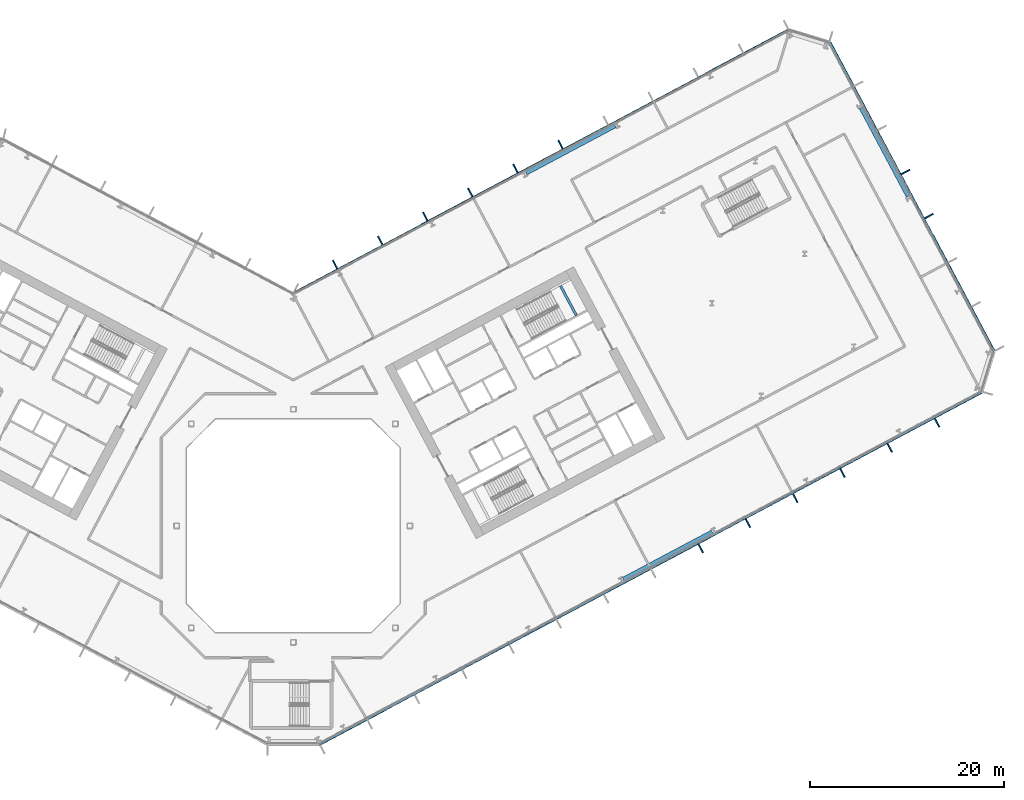
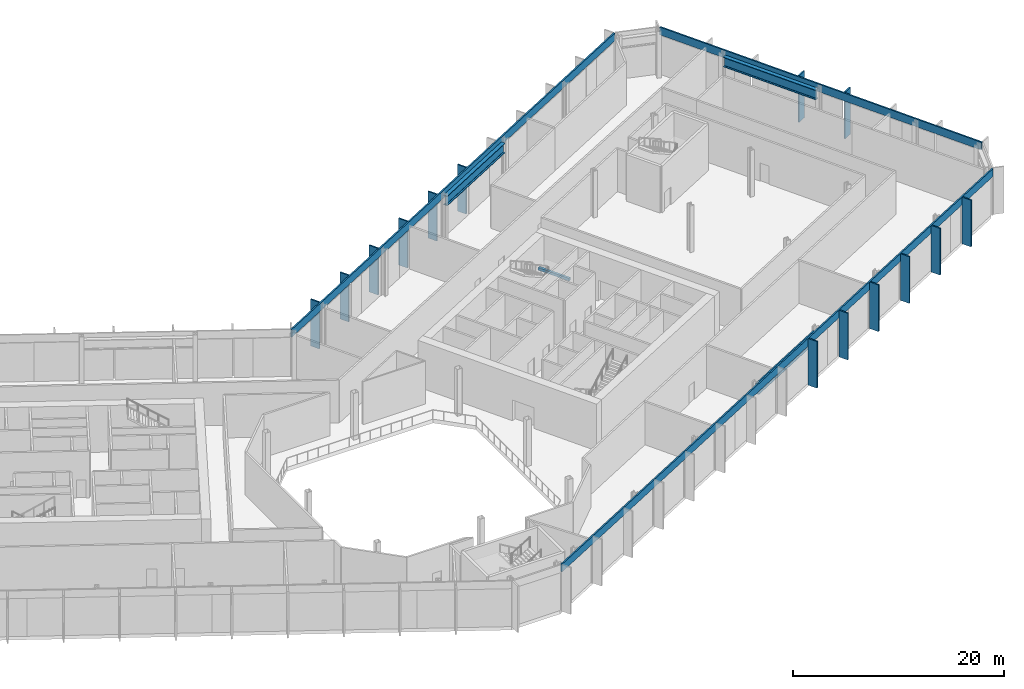
# One storey, part 7 of 31: 17 members, 4 beams, 3 elements without a shape of their own.
"""IFC4 building model written with IfcOpenShell, lengths in metres."""

import ifcopenshell
import ifcopenshell.guid

model = None  # the IFC model being written
_history = None  # IfcOwnerHistory: only IFC2X3 demands one
_inside = {}  # id of a spatial element -> (the spatial element, [elements in it])
_under = {}  # id of a project, library or spatial element -> (it, [spatial elements below it])
_declared = {}  # id of a project -> (the project, [libraries it declares])
_typed = {}  # id of a type object -> (the type object, [elements of that type])
_made_of = {}  # id of a material, layer set ... -> (it, [elements and type objects made of it])


def new_model(schema):
    """Start an empty IFC model of exactly this schema.

    Asked for "IFC4X3", IfcOpenShell would pick the latest addendum, in which some entities
    have other attributes; the version numbers below select the first issue.
    IFC2X3 requires an IfcOwnerHistory on every rooted entity: one is made here for all.
    """
    global model, _history
    if schema == "IFC4X3":
        model = ifcopenshell.file(schema_version=(4, 3, 0, 0))
    else:
        model = ifcopenshell.file(schema=schema)
    _inside.clear()
    _under.clear()
    _declared.clear()
    _typed.clear()
    _made_of.clear()
    _history = None
    if model.schema == "IFC2X3":
        org = make("IfcOrganization", Name="unknown")
        user = make(
            "IfcPersonAndOrganization",
            ThePerson=make("IfcPerson", FamilyName="unknown"),
            TheOrganization=org,
        )
        app = make(
            "IfcApplication",
            ApplicationDeveloper=org,
            Version="unknown",
            ApplicationFullName="unknown",
            ApplicationIdentifier="unknown",
        )
        _history = make(
            "IfcOwnerHistory",
            OwningUser=user,
            OwningApplication=app,
            ChangeAction="ADDED",
            CreationDate=0,
        )
    return model


def make(cls, **values):
    """One entity of the class cls with the attributes given. An attribute that is None is left unset."""
    return model.create_entity(
        cls, **{name: value for name, value in values.items() if value is not None}
    )


def rooted(cls, **values):
    """An entity with a GlobalId (a new one), such as an element, a storey or a relation."""
    return make(cls, GlobalId=ifcopenshell.guid.new(), OwnerHistory=_history, **values)


def si_unit(unit_type, name, prefix=None):
    """IfcSIUnit, for example si_unit("LENGTHUNIT", "METRE", prefix="MILLI")."""
    return make("IfcSIUnit", UnitType=unit_type, Prefix=prefix, Name=name)


def assignment(units):
    """IfcUnitAssignment: the units of a project."""
    return None if units is None else make("IfcUnitAssignment", Units=units)


def point(xyz):
    """IfcCartesianPoint."""
    return None if xyz is None else make("IfcCartesianPoint", Coordinates=xyz)


def direction(xyz):
    """IfcDirection."""
    return None if xyz is None else make("IfcDirection", DirectionRatios=xyz)


def frame(location, z_axis=None, x_axis=None):
    """IfcAxis2Placement3D, a coordinate frame: its origin and axes. An axis left out is left unset."""
    return make(
        "IfcAxis2Placement3D",
        Location=point(location),
        Axis=direction(z_axis),
        RefDirection=direction(x_axis),
    )


def frame_2d(location, x_axis=None):
    """IfcAxis2Placement2D, a coordinate frame in the plane: its origin and x axis."""
    return make(
        "IfcAxis2Placement2D", Location=point(location), RefDirection=direction(x_axis)
    )


def origin():
    """The frame at (0, 0, 0) with its axes left unset."""
    return frame((0.0, 0.0, 0.0))


def origin_2d():
    """The frame at (0, 0) in the plane with its x axis left unset."""
    return frame_2d((0.0, 0.0))


def place(relative_to, where):
    """IfcLocalPlacement: puts the frame where relative to a parent placement (None: the world)."""
    return make(
        "IfcLocalPlacement", PlacementRelTo=relative_to, RelativePlacement=where
    )


def context(
    kind, dimensions, precision=None, world=None, true_north=None, identifier=None
):
    """IfcGeometricRepresentationContext, for example the 3D "Model" context."""
    return make(
        "IfcGeometricRepresentationContext",
        ContextIdentifier=identifier,
        ContextType=kind,
        CoordinateSpaceDimension=dimensions,
        Precision=precision,
        WorldCoordinateSystem=world,
        TrueNorth=true_north,
    )


def subcontext(parent, identifier, kind, view, scale=None):
    """IfcGeometricRepresentationSubContext, for example "Body" below "Model"."""
    return make(
        "IfcGeometricRepresentationSubContext",
        ContextIdentifier=identifier,
        ContextType=kind,
        ParentContext=parent,
        TargetScale=scale,
        TargetView=view,
    )


def project(units=None, contexts=None):
    """IfcProject with its units and contexts."""
    return rooted(
        "IfcProject",
        Name="project",
        RepresentationContexts=contexts,
        UnitsInContext=assignment(units),
    )


def spatial(cls, under=None, at=None, **own):
    """A site, building, storey or space (cls), placed at a placement, below another one or the project."""
    s = rooted(cls, ObjectPlacement=at, **own)
    if under is not None:
        _under.setdefault(under.id(), (under, []))[1].append(s)
    return s


def profile(cls, at=None, kind="AREA", **sizes):
    """A parametric profile (cls). Its sizes go by their IFC names, for example OverallWidth=200.0."""
    return make(cls, ProfileType=kind, Position=at, **sizes)


def rectangle(**sizes):
    """IfcRectangleProfileDef."""
    return profile("IfcRectangleProfileDef", **sizes)


def i_section(**sizes):
    """IfcIShapeProfileDef."""
    return profile("IfcIShapeProfileDef", **sizes)


def extrude(swept, where, along, depth):
    """IfcExtrudedAreaSolid: the profile swept, set in the frame where, extruded along a direction by depth."""
    return make(
        "IfcExtrudedAreaSolid",
        SweptArea=swept,
        Position=where,
        ExtrudedDirection=direction(along),
        Depth=depth,
    )


def shape(context_of_items, identifier, shape_type, items):
    """IfcShapeRepresentation: the items that make up one representation, for example the "Body"."""
    return make(
        "IfcShapeRepresentation",
        ContextOfItems=context_of_items,
        RepresentationIdentifier=identifier,
        RepresentationType=shape_type,
        Items=items,
    )


def material(Name=None, Category=None):
    """IfcMaterial."""
    return make("IfcMaterial", Name=Name, Category=Category)


def layer(
    of_material, thickness, ventilated=None, Name=None, Category=None, Priority=None
):
    """IfcMaterialLayer: one layer of a wall or slab, of a material (None: an air gap)."""
    return make(
        "IfcMaterialLayer",
        Material=of_material,
        LayerThickness=thickness,
        IsVentilated=ventilated,
        Name=Name,
        Category=Category,
        Priority=Priority,
    )


def layer_set(layers, Name=None):
    """IfcMaterialLayerSet."""
    return make("IfcMaterialLayerSet", MaterialLayers=layers, LayerSetName=Name)


def material_profile(
    of_material, cross_section, Name=None, Category=None, Priority=None
):
    """IfcMaterialProfile: a cross section and its material."""
    return make(
        "IfcMaterialProfile",
        Name=Name,
        Material=of_material,
        Profile=cross_section,
        Priority=Priority,
        Category=Category,
    )


def profile_set(profiles, Name=None, composite=None):
    """IfcMaterialProfileSet."""
    return make(
        "IfcMaterialProfileSet",
        Name=Name,
        MaterialProfiles=profiles,
        CompositeProfile=composite,
    )


def made_of(thing, what):
    """Note that an element or type object is made of a material, layer set ...; save() writes the relation."""
    if what is not None:
        _made_of.setdefault(what.id(), (what, []))[1].append(thing)
    return thing


def type_object(cls, material=None, **own):
    """A type object (cls), such as IfcWallType, which elements share."""
    return made_of(rooted(cls, **own), material)


def element(
    cls,
    number,
    at=None,
    inside=None,
    cuts=None,
    type_object=None,
    material=None,
    context=None,
    identifier="Body",
    shape_type=None,
    held_by="IfcProductDefinitionShape",
    body=None,
    shapes=None,
    **own,
):
    """One element of the class cls, such as IfcWall. Its Tag is "e" and its number.

    at: its placement. inside: the storey or other place that contains it. cuts: it is an
    opening in that element (IfcRelVoidsElement). A single representation is given by context,
    identifier, shape_type and body (its items); several are given by shapes. held_by: the class
    of the entity that holds the representations. save() writes the other relations.
    """
    e = rooted(cls, Tag="e%d" % number, ObjectPlacement=at, **own)
    if body is not None:
        shapes = [shape(context, identifier, shape_type, body)]
    if shapes is not None:
        e.Representation = make(held_by, Representations=shapes)
    if inside is not None:
        _inside.setdefault(inside.id(), (inside, []))[1].append(e)
    if cuts is not None:
        rooted(
            "IfcRelVoidsElement", RelatingBuildingElement=cuts, RelatedOpeningElement=e
        )
    if type_object is not None:
        _typed.setdefault(type_object.id(), (type_object, []))[1].append(e)
    return made_of(e, material)


def aggregate(whole, parts):
    """IfcRelAggregates: a whole, such as a stair, and the parts it consists of."""
    return rooted("IfcRelAggregates", RelatingObject=whole, RelatedObjects=parts)


def save(model, path):
    """Write the relations noted so far, then the file.

    IfcRelAggregates (storeys below a building ...), IfcRelContainedInSpatialStructure (elements
    in a storey), IfcRelDefinesByType, IfcRelAssociatesMaterial and IfcRelDeclares: one each for
    every whole, place, type object, material and project.
    """
    for whole, parts in _under.values():
        aggregate(whole, parts)
    for where, things in _inside.values():
        rooted(
            "IfcRelContainedInSpatialStructure",
            RelatedElements=things,
            RelatingStructure=where,
        )
    for kind, things in _typed.values():
        rooted("IfcRelDefinesByType", RelatedObjects=things, RelatingType=kind)
    for what, things in _made_of.values():
        rooted("IfcRelAssociatesMaterial", RelatedObjects=things, RelatingMaterial=what)
    for by, libraries in _declared.values():
        rooted("IfcRelDeclares", RelatingContext=by, RelatedDefinitions=libraries)
    model.write(path)


model = new_model("IFC4")

# Units and contexts
model_context = context("Model", 3, precision=1e-05, world=origin(), true_north=direction((0.0, 1.0)))
body_context = subcontext(model_context, "Body", "Model", "MODEL_VIEW")
ifc_project = project(units=[si_unit("LENGTHUNIT", "METRE"), si_unit("AREAUNIT", "SQUARE_METRE"), si_unit("VOLUMEUNIT", "CUBIC_METRE"), si_unit("PLANEANGLEUNIT", "RADIAN"), si_unit("MASSUNIT", "GRAM", prefix="KILO")], contexts=[model_context])

# Site, building, storey
site_placement = place(None, origin())
site = spatial("IfcSite", under=ifc_project, at=site_placement, CompositionType="ELEMENT")
building_placement = place(site_placement, origin())
building = spatial("IfcBuilding", under=site, at=building_placement, Name="Cormorant Relay Tower", CompositionType="ELEMENT")
storey_placement = place(building_placement, frame((0.0, 0.0, 23.0)))
storey = spatial("IfcBuildingStorey", under=building, at=storey_placement, Name="L04", CompositionType="ELEMENT", Elevation=23.0)

# Curtain wall, members
ifc_material_1 = material(Name="Aluminium 6063-T6 anodised bronze", Category="aluminium")
ifc_layer = layer(ifc_material_1, 0.235107421875)
ifc_layer_set = layer_set([ifc_layer], Name="CW6 data hall curtain wall with mineral wool panels")
curtain_wall_type = type_object("IfcCurtainWallType", Name="CW6 data hall curtain wall with mineral wool panels", PredefinedType="NOTDEFINED", material=ifc_layer_set)
curtain_wall_1_placement = place(storey_placement, origin())
curtain_wall_1 = element("IfcCurtainWall", 1, at=curtain_wall_1_placement, inside=storey, type_object=curtain_wall_type, Name="CW6 curtain wall 2", PredefinedType="NOTDEFINED")
ifc_material_2 = material(Name="Aluminium 6063-T6 anodised bronze", Category="aluminium")
ifc_material_profile_1 = material_profile(ifc_material_2, rectangle(XDim=0.14990234375, YDim=1.0, at=origin_2d()), Name="AL 150x1000")
ifc_profile_set_1 = profile_set([ifc_material_profile_1], Name="Aluminium 6063-T6 anodised bronze")
member_type_1 = type_object("IfcMemberType", Name="CW6 bronze fin mullion 150 x 1000", PredefinedType="MULLION", material=ifc_profile_set_1)
member_1_placement = place(storey_placement, frame((41.92724609375, -2.3232421875, 0.0), z_axis=(0.0, 0.0, 1.0), x_axis=(0.882947592859, 0.469471562786, 0.0)))
member_1 = element("IfcMember", 2, at=member_1_placement, type_object=member_type_1, Name="CW6 fin 2.9", PredefinedType="MULLION", context=body_context, shape_type="SweptSolid", body=[
    extrude(rectangle(XDim=0.14990234375, YDim=1.0, at=origin_2d()), origin(), (0.0, 0.0, 1.0), 5.39990234375),
])
member_2_placement = place(storey_placement, frame((46.7939453125, 0.264404296875, 0.0), z_axis=(0.0, 0.0, 1.0), x_axis=(0.882947592859, 0.469471562786, 0.0)))
member_2 = element("IfcMember", 3, at=member_2_placement, type_object=member_type_1, Name="CW6 fin 2.10", PredefinedType="MULLION", context=body_context, shape_type="SweptSolid", body=[
    extrude(rectangle(XDim=0.14990234375, YDim=1.0, at=origin_2d()), origin(), (0.0, 0.0, 1.0), 5.39990234375),
])
member_3_placement = place(storey_placement, frame((51.66064453125, 2.85205078125, 0.0), z_axis=(0.0, 0.0, 1.0), x_axis=(0.882947592859, 0.469471562786, 0.0)))
member_3 = element("IfcMember", 4, at=member_3_placement, type_object=member_type_1, Name="CW6 fin 2.11", PredefinedType="MULLION", context=body_context, shape_type="SweptSolid", body=[
    extrude(rectangle(XDim=0.14990234375, YDim=1.0, at=origin_2d()), origin(), (0.0, 0.0, 1.0), 5.39990234375),
])
member_4_placement = place(storey_placement, frame((56.52734375, 5.439697265625, 0.0), z_axis=(0.0, 0.0, 1.0), x_axis=(0.882947592859, 0.469471562786, 0.0)))
member_4 = element("IfcMember", 5, at=member_4_placement, type_object=member_type_1, Name="CW6 fin 2.12", PredefinedType="MULLION", context=body_context, shape_type="SweptSolid", body=[
    extrude(rectangle(XDim=0.14990234375, YDim=1.0, at=origin_2d()), origin(), (0.0, 0.0, 1.0), 5.39990234375),
])
member_5_placement = place(storey_placement, frame((61.39404296875, 8.02734375, 0.0), z_axis=(0.0, 0.0, 1.0), x_axis=(0.882947592859, 0.469471562786, 0.0)))
member_5 = element("IfcMember", 6, at=member_5_placement, type_object=member_type_1, Name="CW6 fin 2.13", PredefinedType="MULLION", context=body_context, shape_type="SweptSolid", body=[
    extrude(rectangle(XDim=0.14990234375, YDim=1.0, at=origin_2d()), origin(), (0.0, 0.0, 1.0), 5.39990234375),
])
member_6_placement = place(storey_placement, frame((66.2607421875, 10.614990234375, 0.0), z_axis=(0.0, 0.0, 1.0), x_axis=(0.882947592859, 0.469471562786, 0.0)))
member_6 = element("IfcMember", 7, at=member_6_placement, type_object=member_type_1, Name="CW6 fin 2.14", PredefinedType="MULLION", context=body_context, shape_type="SweptSolid", body=[
    extrude(rectangle(XDim=0.14990234375, YDim=1.0, at=origin_2d()), origin(), (0.0, 0.0, 1.0), 5.39990234375),
])

curtain_wall_2_placement = place(storey_placement, origin())
curtain_wall_2 = element("IfcCurtainWall", 8, at=curtain_wall_2_placement, inside=storey, type_object=curtain_wall_type, Name="CW6 curtain wall 4", PredefinedType="NOTDEFINED")
member_7_placement = place(storey_placement, frame((65.428466796875, 31.876708984375, 0.0), z_axis=(0.0, 0.0, 1.0), x_axis=(-0.469471562786, 0.882947592859, 0.0)))
member_7 = element("IfcMember", 9, at=member_7_placement, type_object=member_type_1, Name="CW6 fin 4.4", PredefinedType="MULLION", context=body_context, shape_type="SweptSolid", body=[
    extrude(rectangle(XDim=0.14990234375, YDim=1.0, at=origin_2d()), origin(), (0.0, 0.0, 1.0), 5.39990234375),
])
member_8_placement = place(storey_placement, frame((63.013916015625, 36.41748046875, 0.0), z_axis=(0.0, 0.0, 1.0), x_axis=(-0.469471562786, 0.882947592859, 0.0)))
member_8 = element("IfcMember", 10, at=member_8_placement, type_object=member_type_1, Name="CW6 fin 4.5", PredefinedType="MULLION", context=body_context, shape_type="SweptSolid", body=[
    extrude(rectangle(XDim=0.14990234375, YDim=1.0, at=origin_2d()), origin(), (0.0, 0.0, 1.0), 5.39990234375),
])

curtain_wall_3_placement = place(storey_placement, origin())
curtain_wall_3 = element("IfcCurtainWall", 11, at=curtain_wall_3_placement, inside=storey, type_object=curtain_wall_type, Name="CW6 curtain wall 6", PredefinedType="NOTDEFINED")
member_9_placement = place(storey_placement, frame((27.50830078125, 39.242919921875, 0.0), z_axis=(0.0, 0.0, 1.0), x_axis=(-0.882947592859, -0.469471562786, 0.0)))
member_9 = element("IfcMember", 12, at=member_9_placement, type_object=member_type_1, Name="CW6 fin 6.6", PredefinedType="MULLION", context=body_context, shape_type="SweptSolid", body=[
    extrude(rectangle(XDim=0.14990234375, YDim=1.0, at=origin_2d()), origin(), (0.0, 0.0, 1.0), 5.39990234375),
])
member_10_placement = place(storey_placement, frame((22.8662109375, 36.7744140625, 0.0), z_axis=(0.0, 0.0, 1.0), x_axis=(-0.882947592859, -0.469471562786, 0.0)))
member_10 = element("IfcMember", 13, at=member_10_placement, type_object=member_type_1, Name="CW6 fin 6.7", PredefinedType="MULLION", context=body_context, shape_type="SweptSolid", body=[
    extrude(rectangle(XDim=0.14990234375, YDim=1.0, at=origin_2d()), origin(), (0.0, 0.0, 1.0), 5.39990234375),
])
member_11_placement = place(storey_placement, frame((18.223876953125, 34.30615234375, 0.0), z_axis=(0.0, 0.0, 1.0), x_axis=(-0.882947592859, -0.469471562786, 0.0)))
member_11 = element("IfcMember", 14, at=member_11_placement, type_object=member_type_1, Name="CW6 fin 6.8", PredefinedType="MULLION", context=body_context, shape_type="SweptSolid", body=[
    extrude(rectangle(XDim=0.14990234375, YDim=1.0, at=origin_2d()), origin(), (0.0, 0.0, 1.0), 5.39990234375),
])
member_12_placement = place(storey_placement, frame((13.58154296875, 31.837890625, 0.0), z_axis=(0.0, 0.0, 1.0), x_axis=(-0.882947592859, -0.469471562786, 0.0)))
member_12 = element("IfcMember", 15, at=member_12_placement, type_object=member_type_1, Name="CW6 fin 6.9", PredefinedType="MULLION", context=body_context, shape_type="SweptSolid", body=[
    extrude(rectangle(XDim=0.14990234375, YDim=1.0, at=origin_2d()), origin(), (0.0, 0.0, 1.0), 5.39990234375),
])
member_13_placement = place(storey_placement, frame((8.939453125, 29.36962890625, 0.0), z_axis=(0.0, 0.0, 1.0), x_axis=(-0.882947592859, -0.469471562786, 0.0)))
member_13 = element("IfcMember", 16, at=member_13_placement, type_object=member_type_1, Name="CW6 fin 6.10", PredefinedType="MULLION", context=body_context, shape_type="SweptSolid", body=[
    extrude(rectangle(XDim=0.14990234375, YDim=1.0, at=origin_2d()), origin(), (0.0, 0.0, 1.0), 5.39990234375),
])
member_14_placement = place(storey_placement, frame((4.297119140625, 26.9013671875, 0.0), z_axis=(0.0, 0.0, 1.0), x_axis=(-0.882947592859, -0.469471562786, 0.0)))
member_14 = element("IfcMember", 17, at=member_14_placement, type_object=member_type_1, Name="CW6 fin 6.11", PredefinedType="MULLION", context=body_context, shape_type="SweptSolid", body=[
    extrude(rectangle(XDim=0.14990234375, YDim=1.0, at=origin_2d()), origin(), (0.0, 0.0, 1.0), 5.39990234375),
])

# Member
ifc_material_3 = material(Name="Aluminium 6063-T6 anodised bronze", Category="aluminium")
ifc_material_profile_2 = material_profile(ifc_material_3, rectangle(XDim=0.159912109375, YDim=0.89990234375, at=origin_2d()), Name="AL 160x900")
ifc_profile_set_2 = profile_set([ifc_material_profile_2], Name="Aluminium 6063-T6 anodised bronze")
member_type_2 = type_object("IfcMemberType", Name="CW6 bronze transom 160 x 900", PredefinedType="USERDEFINED", material=ifc_profile_set_2)
member_15_placement = place(storey_placement, frame((2.7216796875, -22.512451171875, 4.949951171875), z_axis=(0.882946645884, 0.469473343783, 0.0), x_axis=(-0.469473343783, 0.882946645884, 0.0)))
member_15 = element("IfcMember", 18, at=member_15_placement, type_object=member_type_2, Name="CW6 transom 2", ObjectType="TRANSOM", PredefinedType="USERDEFINED", context=body_context, shape_type="SweptSolid", body=[
    extrude(rectangle(XDim=0.159912109375, YDim=0.89990234375, at=origin_2d()), origin(), (0.0, 0.0, 1.0), 77.165771484375),
])

aggregate(curtain_wall_1, [member_1, member_2, member_3, member_4, member_5, member_6, member_15])

member_16_placement = place(storey_placement, frame((72.15966796875, 17.981689453125, 4.949951171875), z_axis=(-0.469474517326, 0.882946021896, 0.0), x_axis=(-0.882946021896, -0.469474517326, 0.0)))
member_16 = element("IfcMember", 19, at=member_16_placement, type_object=member_type_2, Name="CW6 transom 4", ObjectType="TRANSOM", PredefinedType="USERDEFINED", context=body_context, shape_type="SweptSolid", body=[
    extrude(rectangle(XDim=0.159912109375, YDim=0.89990234375, at=origin_2d()), origin(), (0.0, 0.0, 1.0), 36.0),
])

aggregate(curtain_wall_2, [member_7, member_8, member_16])

member_17_placement = place(storey_placement, frame((50.99169921875, 51.072265625, 4.949951171875), z_axis=(-0.882948196078, -0.469470428295, 0.0), x_axis=(0.469470428295, -0.882948196078, 0.0)))
member_17 = element("IfcMember", 20, at=member_17_placement, type_object=member_type_2, Name="CW6 transom 6", ObjectType="TRANSOM", PredefinedType="USERDEFINED", context=body_context, shape_type="SweptSolid", body=[
    extrude(rectangle(XDim=0.159912109375, YDim=0.89990234375, at=origin_2d()), origin(), (0.0, 0.0, 1.0), 57.833984375),
])

aggregate(curtain_wall_3, [member_9, member_10, member_11, member_12, member_13, member_14, member_17])

# Beams
ifc_material_4 = material(Name="Steel ASTM A992 (Fy 345 MPa)", Category="steel")
ifc_material_profile_3 = material_profile(ifc_material_4, i_section(OverallWidth=0.408935546875, OverallDepth=1.137939453125, WebThickness=0.031005859375, FlangeThickness=0.05517578125, FilletRadius=0.02001953125, at=origin_2d()), Name="W1100x607")
ifc_profile_set_3 = profile_set([ifc_material_profile_3], Name="Steel ASTM A992 (Fy 345 MPa)")
beam_type_1 = type_object("IfcBeamType", Name="Spandrel W1100x607", PredefinedType="SPANDREL", material=ifc_profile_set_3)
for number, where, z_axis, x_axis, name in (
    (21, (33.9716796875, -5.4892578125, 4.381103515625), (0.882947604656, 0.469471540599, 0.0), (-0.469471540599, 0.882947604656, 0.0), "Spandrel beam L04-002"),
    (22, (63.289306640625, 33.898681640625, 4.381103515625), (-0.469471540599, 0.882947604656, 0.0), (-0.882947604656, -0.469471540599, 0.0), "Spandrel beam L04-004"),
):
    element("IfcBeam", number, at=place(storey_placement, frame(where, z_axis=z_axis, x_axis=x_axis)), inside=storey, type_object=beam_type_1, Name=name, PredefinedType="SPANDREL", context=body_context, shape_type="SweptSolid", body=[
        extrude(i_section(OverallWidth=0.408935546875, OverallDepth=1.137939453125, WebThickness=0.031005859375, FlangeThickness=0.05517578125, FilletRadius=0.02001953125, at=origin_2d()), origin(), (0.0, 0.0, 1.0), 10.36376953125),
    ])
beam_1_placement = place(storey_placement, frame((33.132080078125, 41.169189453125, 4.381103515625), z_axis=(-0.882942412403, -0.469481305677, 0.0), x_axis=(0.469481305677, -0.882942412403, 0.0)))
element("IfcBeam", 23, at=beam_1_placement, inside=storey, type_object=beam_type_1, Name="Spandrel beam L04-006", PredefinedType="SPANDREL", context=body_context, shape_type="SweptSolid", body=[
    extrude(i_section(OverallWidth=0.408935546875, OverallDepth=1.137939453125, WebThickness=0.031005859375, FlangeThickness=0.05517578125, FilletRadius=0.02001953125, at=origin_2d()), origin(), (0.0, 0.0, 1.0), 10.363525390625),
])
ifc_material_5 = material(Name="Concrete 50 MPa", Category="concrete")
ifc_material_profile_4 = material_profile(ifc_material_5, rectangle(XDim=0.25, YDim=0.300048828125, at=origin_2d()), Name="RC 250x300")
ifc_profile_set_4 = profile_set([ifc_material_profile_4], Name="Concrete 50 MPa")
beam_type_2 = type_object("IfcBeamType", Name="Stair landing ledge beam 250x300", PredefinedType="BEAM", material=ifc_profile_set_4)
beam_2_placement = place(storey_placement, frame((29.1259765625, 21.6591796875, 2.35009765625), z_axis=(-0.469493252696, 0.882936059788, 0.0), x_axis=(-0.882936059788, -0.469493252696, 0.0)))
element("IfcBeam", 24, at=beam_2_placement, inside=storey, type_object=beam_type_2, Name="B2 landing ledge beam", PredefinedType="BEAM", context=body_context, shape_type="SweptSolid", body=[
    extrude(rectangle(XDim=0.25, YDim=0.300048828125, at=origin_2d()), origin(), (0.0, 0.0, 1.0), 3.44970703125),
])

save(model, "model.ifc")
